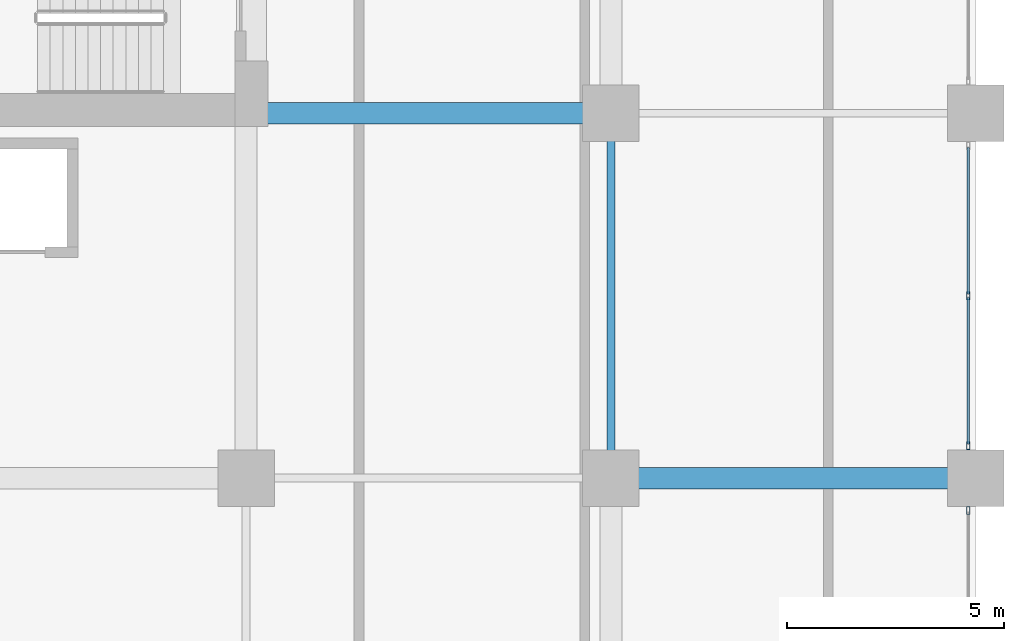
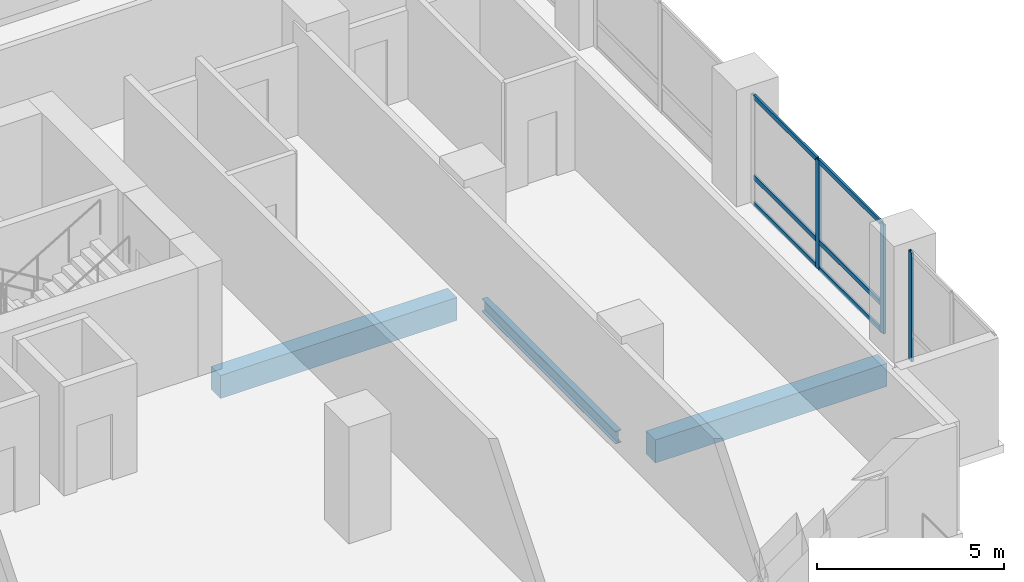
# One storey, part 4 of 24: 9 members, 3 beams, 2 elements without a shape of their own.
"""IFC4 building model written with IfcOpenShell, lengths in metres."""

from ifc_helpers import new_model, si_unit, direction, frame, origin, origin_2d, place, context, subcontext, project, spatial, rectangle, hollow_rectangle, i_section, extrude, material, layer, layer_set, material_profile, profile_set, type_object, element, aggregate, save


model = new_model("IFC4")

# Units and contexts
model_context = context("Model", 3, precision=1e-05, world=origin(), true_north=direction((0.0, 1.0)))
body_context = subcontext(model_context, "Body", "Model", "MODEL_VIEW")
ifc_project = project(units=[si_unit("LENGTHUNIT", "METRE"), si_unit("AREAUNIT", "SQUARE_METRE"), si_unit("VOLUMEUNIT", "CUBIC_METRE"), si_unit("PLANEANGLEUNIT", "RADIAN"), si_unit("MASSUNIT", "GRAM", prefix="KILO")], contexts=[model_context])

# Site, building, storey
site_placement = place(None, origin())
site = spatial("IfcSite", under=ifc_project, at=site_placement, CompositionType="ELEMENT")
building_placement = place(site_placement, origin())
building = spatial("IfcBuilding", under=site, at=building_placement, Name="Koriwani Terraces Tower", CompositionType="ELEMENT")
storey_placement = place(building_placement, frame((0.0, 0.0, 149.39990234375)))
storey = spatial("IfcBuildingStorey", under=building, at=storey_placement, Name="L36", CompositionType="ELEMENT", Elevation=149.39990234375)

# Beams
ifc_material_1 = material(Name="Concrete C50/60", Category="concrete")
ifc_material_profile_1 = material_profile(ifc_material_1, rectangle(XDim=0.5, YDim=0.75, at=origin_2d()), Name="Concrete C50/60", Category="LoadBearing")
ifc_profile_set_1 = profile_set([ifc_material_profile_1], Name="Concrete C50/60")
beam_type_1 = type_object("IfcBeamType", Name="BEAM_RC_GRID_500X750", PredefinedType="BEAM", material=ifc_profile_set_1)
beam_1_placement = place(storey_placement, frame((67.830078125, 8.39990234375, -0.625), z_axis=(1.0, 0.0, 0.0), x_axis=(0.0, 1.0, 0.0)))
element("IfcBeam", 1, at=beam_1_placement, inside=storey, type_object=beam_type_1, Name="L36 Grid Beam B (67.2-75.6m)", PredefinedType="BEAM", context=body_context, shape_type="SweptSolid", body=[
    extrude(rectangle(XDim=0.5, YDim=0.75, at=origin_2d()), origin(), (0.0, 0.0, 1.0), 7.139892578125),
])
beam_2_placement = place(storey_placement, frame((59.280029296875, 16.800048828125, -0.625), z_axis=(1.0, 0.0, 0.0), x_axis=(0.0, 1.0, 0.0)))
element("IfcBeam", 2, at=beam_2_placement, inside=storey, type_object=beam_type_1, Name="L36 Grid Beam C (58.8-67.2m)", PredefinedType="BEAM", context=body_context, shape_type="SweptSolid", body=[
    extrude(rectangle(XDim=0.5, YDim=0.75, at=origin_2d()), origin(), (0.0, 0.0, 1.0), 7.2900390625),
])

# Curtain wall, members
ifc_material_2 = material(Name="Anodised Bronze Aluminium", Category="aluminium")
ifc_layer = layer(ifc_material_2, 0.179931640625, Name="Anodised Bronze Aluminium")
ifc_layer_set = layer_set([ifc_layer], Name="Anodised Bronze Aluminium")
curtain_wall_type = type_object("IfcCurtainWallType", Name="CW_HOTEL_ZONE2", PredefinedType="NOTDEFINED", material=ifc_layer_set)
curtain_wall_1_placement = place(storey_placement, origin())
curtain_wall_1 = element("IfcCurtainWall", 3, at=curtain_wall_1_placement, inside=storey, type_object=curtain_wall_type, Name="L36 Unitised Curtain Wall (E_TIP) Bay 3", PredefinedType="NOTDEFINED")
ifc_material_profile_2 = material_profile(ifc_material_2, hollow_rectangle(XDim=0.074951171875, YDim=0.179931640625, WallThickness=0.006103515625, at=origin_2d()), Name="Anodised Bronze Aluminium", Category="LoadBearing")
ifc_profile_set_2 = profile_set([ifc_material_profile_2], Name="Anodised Bronze Aluminium")
member_type_1 = type_object("IfcMemberType", Name="CW_MULLION_180X75", PredefinedType="MULLION", material=ifc_profile_set_2)
member_1_placement = place(storey_placement, frame((75.425048828125, 12.60009765625, 0.0), z_axis=(0.0, 0.0, 1.0), x_axis=(1.0, 0.0, 0.0)))
member_1 = element("IfcMember", 4, at=member_1_placement, type_object=member_type_1, Name="CW-Z2 mullion 2", PredefinedType="MULLION", context=body_context, shape_type="SweptSolid", body=[
    extrude(hollow_rectangle(XDim=0.074951171875, YDim=0.179931640625, WallThickness=0.006103515625, at=origin_2d()), origin(), (0.0, 0.0, 1.0), 3.550048828125),
])
member_2_placement = place(storey_placement, frame((75.425048828125, 9.1474609375, 0.0), z_axis=(0.0, 0.0, 1.0), x_axis=(1.0, 0.0, 0.0)))
member_2 = element("IfcMember", 5, at=member_2_placement, type_object=member_type_1, Name="CW-Z2 mullion 3", PredefinedType="MULLION", context=body_context, shape_type="SweptSolid", body=[
    extrude(hollow_rectangle(XDim=0.074951171875, YDim=0.179931640625, WallThickness=0.006103515625, at=origin_2d()), origin(), (0.0, 0.0, 1.0), 3.550048828125),
])

# Curtain wall, member
curtain_wall_2_placement = place(storey_placement, origin())
curtain_wall_2 = element("IfcCurtainWall", 6, at=curtain_wall_2_placement, inside=storey, type_object=curtain_wall_type, Name="L36 Unitised Curtain Wall (E_TIP) Bay 4", PredefinedType="NOTDEFINED")
member_3_placement = place(storey_placement, frame((75.425048828125, 7.652587890625, 0.0), z_axis=(0.0, 0.0, 1.0), x_axis=(1.0, 0.0, 0.0)))
member_3 = element("IfcMember", 7, at=member_3_placement, type_object=member_type_1, Name="CW-Z2 mullion 1", PredefinedType="MULLION", context=body_context, shape_type="SweptSolid", body=[
    extrude(hollow_rectangle(XDim=0.074951171875, YDim=0.179931640625, WallThickness=0.006103515625, at=origin_2d()), origin(), (0.0, 0.0, 1.0), 3.550048828125),
])
aggregate(curtain_wall_2, [member_3])

# Member
ifc_material_profile_3 = material_profile(ifc_material_2, hollow_rectangle(XDim=0.06494140625, YDim=0.14990234375, WallThickness=0.0048828125, at=origin_2d()), Name="Anodised Bronze Aluminium", Category="LoadBearing")
ifc_profile_set_3 = profile_set([ifc_material_profile_3], Name="Anodised Bronze Aluminium")
member_type_2 = type_object("IfcMemberType", Name="CW_TRANSOM_150X65", PredefinedType="USERDEFINED", material=ifc_profile_set_3)
member_4_placement = place(storey_placement, frame((75.425048828125, 16.014892578125, 0.03271484375), z_axis=(0.0, -1.0, 0.0), x_axis=(1.0, 0.0, 0.0)))
member_4 = element("IfcMember", 8, at=member_4_placement, type_object=member_type_2, Name="CW-Z2 transom 1.1", ObjectType="TRANSOM", PredefinedType="USERDEFINED", context=body_context, shape_type="SweptSolid", body=[
    extrude(hollow_rectangle(XDim=0.06494140625, YDim=0.14990234375, WallThickness=0.0048828125, at=origin_2d()), origin(), (0.0, 0.0, 1.0), 3.37744140625),
])

member_5_placement = place(storey_placement, frame((75.425048828125, 16.014892578125, 0.900146484375), z_axis=(0.0, -1.0, 0.0), x_axis=(1.0, 0.0, 0.0)))
member_5 = element("IfcMember", 9, at=member_5_placement, type_object=member_type_2, Name="CW-Z2 transom 1.2", ObjectType="TRANSOM", PredefinedType="USERDEFINED", context=body_context, shape_type="SweptSolid", body=[
    extrude(hollow_rectangle(XDim=0.06494140625, YDim=0.14990234375, WallThickness=0.0048828125, at=origin_2d()), origin(), (0.0, 0.0, 1.0), 3.37744140625),
])

member_6_placement = place(storey_placement, frame((75.425048828125, 16.014892578125, 3.517578125), z_axis=(0.0, -1.0, 0.0), x_axis=(1.0, 0.0, 0.0)))
member_6 = element("IfcMember", 10, at=member_6_placement, type_object=member_type_2, Name="CW-Z2 transom 1.3", ObjectType="TRANSOM", PredefinedType="USERDEFINED", context=body_context, shape_type="SweptSolid", body=[
    extrude(hollow_rectangle(XDim=0.06494140625, YDim=0.14990234375, WallThickness=0.0048828125, at=origin_2d()), origin(), (0.0, 0.0, 1.0), 3.37744140625),
])

member_7_placement = place(storey_placement, frame((75.425048828125, 12.5625, 0.03271484375), z_axis=(0.0, -1.0, 0.0), x_axis=(1.0, 0.0, 0.0)))
member_7 = element("IfcMember", 11, at=member_7_placement, type_object=member_type_2, Name="CW-Z2 transom 2.1", ObjectType="TRANSOM", PredefinedType="USERDEFINED", context=body_context, shape_type="SweptSolid", body=[
    extrude(hollow_rectangle(XDim=0.06494140625, YDim=0.14990234375, WallThickness=0.0048828125, at=origin_2d()), origin(), (0.0, 0.0, 1.0), 3.37744140625),
])

member_8_placement = place(storey_placement, frame((75.425048828125, 12.5625, 0.900146484375), z_axis=(0.0, -1.0, 0.0), x_axis=(1.0, 0.0, 0.0)))
member_8 = element("IfcMember", 12, at=member_8_placement, type_object=member_type_2, Name="CW-Z2 transom 2.2", ObjectType="TRANSOM", PredefinedType="USERDEFINED", context=body_context, shape_type="SweptSolid", body=[
    extrude(hollow_rectangle(XDim=0.06494140625, YDim=0.14990234375, WallThickness=0.0048828125, at=origin_2d()), origin(), (0.0, 0.0, 1.0), 3.37744140625),
])

member_9_placement = place(storey_placement, frame((75.425048828125, 12.5625, 3.517578125), z_axis=(0.0, -1.0, 0.0), x_axis=(1.0, 0.0, 0.0)))
member_9 = element("IfcMember", 13, at=member_9_placement, type_object=member_type_2, Name="CW-Z2 transom 2.3", ObjectType="TRANSOM", PredefinedType="USERDEFINED", context=body_context, shape_type="SweptSolid", body=[
    extrude(hollow_rectangle(XDim=0.06494140625, YDim=0.14990234375, WallThickness=0.0048828125, at=origin_2d()), origin(), (0.0, 0.0, 1.0), 3.37744140625),
])

aggregate(curtain_wall_1, [member_1, member_2, member_4, member_5, member_6, member_7, member_8, member_9])

# Beam
ifc_material_3 = material(Name="Steel ASTM A572 Grade 50", Category="steel")
ifc_material_profile_4 = material_profile(ifc_material_3, i_section(OverallWidth=0.180908203125, OverallDepth=0.4169921875, WebThickness=0.010986328125, FlangeThickness=0.018310546875, at=origin_2d()), Name="Steel ASTM A572 Grade 50", Category="LoadBearing")
ifc_profile_set_4 = profile_set([ifc_material_profile_4], Name="Steel ASTM A572 Grade 50")
beam_type_2 = type_object("IfcBeamType", Name="STEEL_BEAM_W410X85", PredefinedType="JOIST", material=ifc_profile_set_4)
beam_3_placement = place(storey_placement, frame((67.199951171875, 9.030029296875, -0.45849609375), z_axis=(0.0, 1.0, 0.0), x_axis=(-1.0, 0.0, 0.0)))
element("IfcBeam", 14, at=beam_3_placement, inside=storey, type_object=beam_type_2, Name="L36 Grid Beam 9 (8.4-16.8m)", PredefinedType="JOIST", context=body_context, shape_type="SweptSolid", body=[
    extrude(i_section(OverallWidth=0.180908203125, OverallDepth=0.4169921875, WebThickness=0.010986328125, FlangeThickness=0.018310546875, at=origin_2d()), origin(), (0.0, 0.0, 1.0), 7.139892578125),
])

save(model, "model.ifc")
